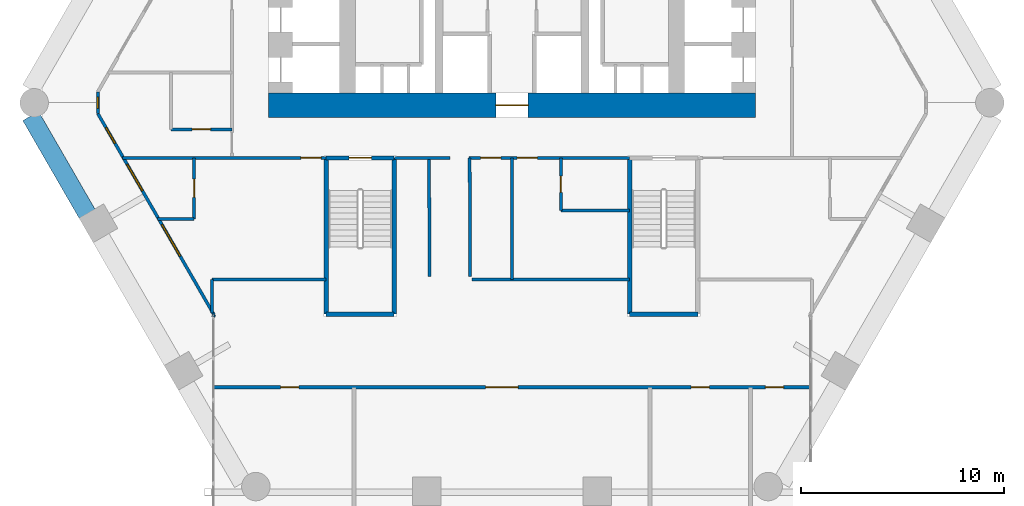
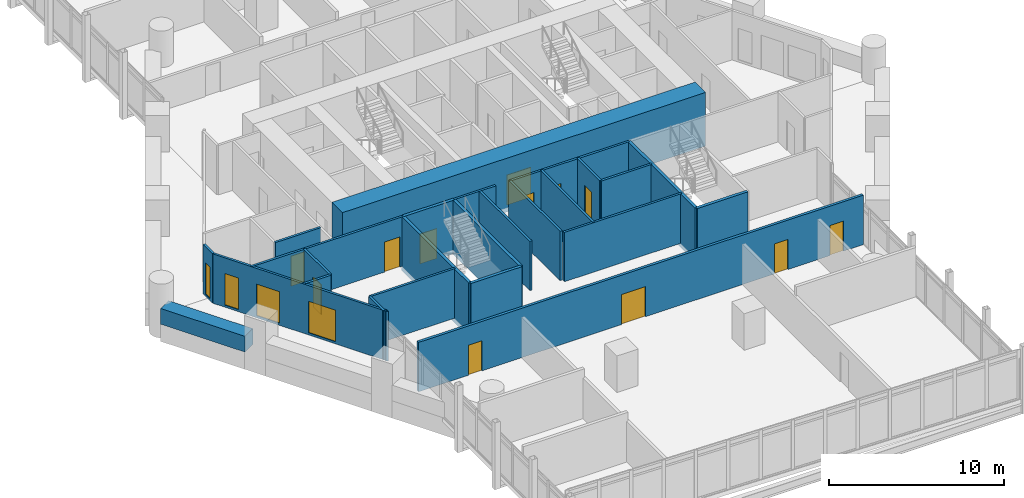
# One storey, part 23 of 28: 26 walls, 12 doors, 4 windows, 16 openings.
"""IFC4 building model written with IfcOpenShell, lengths in metres."""

import ifcopenshell
import ifcopenshell.guid

model = None  # the IFC model being written
_history = None  # IfcOwnerHistory: only IFC2X3 demands one
_inside = {}  # id of a spatial element -> (the spatial element, [elements in it])
_under = {}  # id of a project, library or spatial element -> (it, [spatial elements below it])
_declared = {}  # id of a project -> (the project, [libraries it declares])
_typed = {}  # id of a type object -> (the type object, [elements of that type])
_made_of = {}  # id of a material, layer set ... -> (it, [elements and type objects made of it])


def new_model(schema):
    """Start an empty IFC model of exactly this schema.

    Asked for "IFC4X3", IfcOpenShell would pick the latest addendum, in which some entities
    have other attributes; the version numbers below select the first issue.
    IFC2X3 requires an IfcOwnerHistory on every rooted entity: one is made here for all.
    """
    global model, _history
    if schema == "IFC4X3":
        model = ifcopenshell.file(schema_version=(4, 3, 0, 0))
    else:
        model = ifcopenshell.file(schema=schema)
    _inside.clear()
    _under.clear()
    _declared.clear()
    _typed.clear()
    _made_of.clear()
    _history = None
    if model.schema == "IFC2X3":
        org = make("IfcOrganization", Name="unknown")
        user = make(
            "IfcPersonAndOrganization",
            ThePerson=make("IfcPerson", FamilyName="unknown"),
            TheOrganization=org,
        )
        app = make(
            "IfcApplication",
            ApplicationDeveloper=org,
            Version="unknown",
            ApplicationFullName="unknown",
            ApplicationIdentifier="unknown",
        )
        _history = make(
            "IfcOwnerHistory",
            OwningUser=user,
            OwningApplication=app,
            ChangeAction="ADDED",
            CreationDate=0,
        )
    return model


def make(cls, **values):
    """One entity of the class cls with the attributes given. An attribute that is None is left unset."""
    return model.create_entity(
        cls, **{name: value for name, value in values.items() if value is not None}
    )


def rooted(cls, **values):
    """An entity with a GlobalId (a new one), such as an element, a storey or a relation."""
    return make(cls, GlobalId=ifcopenshell.guid.new(), OwnerHistory=_history, **values)


def si_unit(unit_type, name, prefix=None):
    """IfcSIUnit, for example si_unit("LENGTHUNIT", "METRE", prefix="MILLI")."""
    return make("IfcSIUnit", UnitType=unit_type, Prefix=prefix, Name=name)


def assignment(units):
    """IfcUnitAssignment: the units of a project."""
    return None if units is None else make("IfcUnitAssignment", Units=units)


def point(xyz):
    """IfcCartesianPoint."""
    return None if xyz is None else make("IfcCartesianPoint", Coordinates=xyz)


def direction(xyz):
    """IfcDirection."""
    return None if xyz is None else make("IfcDirection", DirectionRatios=xyz)


def frame(location, z_axis=None, x_axis=None):
    """IfcAxis2Placement3D, a coordinate frame: its origin and axes. An axis left out is left unset."""
    return make(
        "IfcAxis2Placement3D",
        Location=point(location),
        Axis=direction(z_axis),
        RefDirection=direction(x_axis),
    )


def frame_2d(location, x_axis=None):
    """IfcAxis2Placement2D, a coordinate frame in the plane: its origin and x axis."""
    return make(
        "IfcAxis2Placement2D", Location=point(location), RefDirection=direction(x_axis)
    )


def origin():
    """The frame at (0, 0, 0) with its axes left unset."""
    return frame((0.0, 0.0, 0.0))


def place(relative_to, where):
    """IfcLocalPlacement: puts the frame where relative to a parent placement (None: the world)."""
    return make(
        "IfcLocalPlacement", PlacementRelTo=relative_to, RelativePlacement=where
    )


def context(
    kind, dimensions, precision=None, world=None, true_north=None, identifier=None
):
    """IfcGeometricRepresentationContext, for example the 3D "Model" context."""
    return make(
        "IfcGeometricRepresentationContext",
        ContextIdentifier=identifier,
        ContextType=kind,
        CoordinateSpaceDimension=dimensions,
        Precision=precision,
        WorldCoordinateSystem=world,
        TrueNorth=true_north,
    )


def subcontext(parent, identifier, kind, view, scale=None):
    """IfcGeometricRepresentationSubContext, for example "Body" below "Model"."""
    return make(
        "IfcGeometricRepresentationSubContext",
        ContextIdentifier=identifier,
        ContextType=kind,
        ParentContext=parent,
        TargetScale=scale,
        TargetView=view,
    )


def project(units=None, contexts=None):
    """IfcProject with its units and contexts."""
    return rooted(
        "IfcProject",
        Name="project",
        RepresentationContexts=contexts,
        UnitsInContext=assignment(units),
    )


def spatial(cls, under=None, at=None, **own):
    """A site, building, storey or space (cls), placed at a placement, below another one or the project."""
    s = rooted(cls, ObjectPlacement=at, **own)
    if under is not None:
        _under.setdefault(under.id(), (under, []))[1].append(s)
    return s


def profile(cls, at=None, kind="AREA", **sizes):
    """A parametric profile (cls). Its sizes go by their IFC names, for example OverallWidth=200.0."""
    return make(cls, ProfileType=kind, Position=at, **sizes)


def rectangle(**sizes):
    """IfcRectangleProfileDef."""
    return profile("IfcRectangleProfileDef", **sizes)


def extrude(swept, where, along, depth):
    """IfcExtrudedAreaSolid: the profile swept, set in the frame where, extruded along a direction by depth."""
    return make(
        "IfcExtrudedAreaSolid",
        SweptArea=swept,
        Position=where,
        ExtrudedDirection=direction(along),
        Depth=depth,
    )


def shape(context_of_items, identifier, shape_type, items):
    """IfcShapeRepresentation: the items that make up one representation, for example the "Body"."""
    return make(
        "IfcShapeRepresentation",
        ContextOfItems=context_of_items,
        RepresentationIdentifier=identifier,
        RepresentationType=shape_type,
        Items=items,
    )


def material(Name=None, Category=None):
    """IfcMaterial."""
    return make("IfcMaterial", Name=Name, Category=Category)


def layer(
    of_material, thickness, ventilated=None, Name=None, Category=None, Priority=None
):
    """IfcMaterialLayer: one layer of a wall or slab, of a material (None: an air gap)."""
    return make(
        "IfcMaterialLayer",
        Material=of_material,
        LayerThickness=thickness,
        IsVentilated=ventilated,
        Name=Name,
        Category=Category,
        Priority=Priority,
    )


def layer_set(layers, Name=None):
    """IfcMaterialLayerSet."""
    return make("IfcMaterialLayerSet", MaterialLayers=layers, LayerSetName=Name)


def made_of(thing, what):
    """Note that an element or type object is made of a material, layer set ...; save() writes the relation."""
    if what is not None:
        _made_of.setdefault(what.id(), (what, []))[1].append(thing)
    return thing


def type_object(cls, material=None, **own):
    """A type object (cls), such as IfcWallType, which elements share."""
    return made_of(rooted(cls, **own), material)


def element(
    cls,
    number,
    at=None,
    inside=None,
    cuts=None,
    type_object=None,
    material=None,
    context=None,
    identifier="Body",
    shape_type=None,
    held_by="IfcProductDefinitionShape",
    body=None,
    shapes=None,
    **own,
):
    """One element of the class cls, such as IfcWall. Its Tag is "e" and its number.

    at: its placement. inside: the storey or other place that contains it. cuts: it is an
    opening in that element (IfcRelVoidsElement). A single representation is given by context,
    identifier, shape_type and body (its items); several are given by shapes. held_by: the class
    of the entity that holds the representations. save() writes the other relations.
    """
    e = rooted(cls, Tag="e%d" % number, ObjectPlacement=at, **own)
    if body is not None:
        shapes = [shape(context, identifier, shape_type, body)]
    if shapes is not None:
        e.Representation = make(held_by, Representations=shapes)
    if inside is not None:
        _inside.setdefault(inside.id(), (inside, []))[1].append(e)
    if cuts is not None:
        rooted(
            "IfcRelVoidsElement", RelatingBuildingElement=cuts, RelatedOpeningElement=e
        )
    if type_object is not None:
        _typed.setdefault(type_object.id(), (type_object, []))[1].append(e)
    return made_of(e, material)


def fill(opening, filler):
    """IfcRelFillsElement: the door or window that sits in an opening."""
    return rooted(
        "IfcRelFillsElement",
        RelatingOpeningElement=opening,
        RelatedBuildingElement=filler,
    )


def aggregate(whole, parts):
    """IfcRelAggregates: a whole, such as a stair, and the parts it consists of."""
    return rooted("IfcRelAggregates", RelatingObject=whole, RelatedObjects=parts)


def save(model, path):
    """Write the relations noted so far, then the file.

    IfcRelAggregates (storeys below a building ...), IfcRelContainedInSpatialStructure (elements
    in a storey), IfcRelDefinesByType, IfcRelAssociatesMaterial and IfcRelDeclares: one each for
    every whole, place, type object, material and project.
    """
    for whole, parts in _under.values():
        aggregate(whole, parts)
    for where, things in _inside.values():
        rooted(
            "IfcRelContainedInSpatialStructure",
            RelatedElements=things,
            RelatingStructure=where,
        )
    for kind, things in _typed.values():
        rooted("IfcRelDefinesByType", RelatedObjects=things, RelatingType=kind)
    for what, things in _made_of.values():
        rooted("IfcRelAssociatesMaterial", RelatedObjects=things, RelatingMaterial=what)
    for by, libraries in _declared.values():
        rooted("IfcRelDeclares", RelatingContext=by, RelatedDefinitions=libraries)
    model.write(path)


model = new_model("IFC4")

# Units and contexts
model_context = context("Model", 3, precision=1e-05, world=origin(), true_north=direction((0.0, 1.0)))
body_context = subcontext(model_context, "Body", "Model", "MODEL_VIEW")
ifc_project = project(units=[si_unit("LENGTHUNIT", "METRE"), si_unit("AREAUNIT", "SQUARE_METRE"), si_unit("VOLUMEUNIT", "CUBIC_METRE"), si_unit("PLANEANGLEUNIT", "RADIAN"), si_unit("MASSUNIT", "GRAM", prefix="KILO")], contexts=[model_context])

# Site, building, storey
site_placement = place(None, origin())
site = spatial("IfcSite", under=ifc_project, at=site_placement, CompositionType="ELEMENT")
building_placement = place(site_placement, origin())
building = spatial("IfcBuilding", under=site, at=building_placement, Name="Ostrander Bayou Hotel Tower", CompositionType="ELEMENT")
storey_placement = place(building_placement, frame((0.0, 0.0, 76.75)))
storey = spatial("IfcBuildingStorey", under=building, at=storey_placement, Name="L19", CompositionType="ELEMENT", Elevation=76.75)

# Wall, opening, door
ifc_material_1 = material(Name="Concrete f'c 70 MPa", Category="concrete")
ifc_layer_1 = layer(ifc_material_1, 1.199951171875)
ifc_layer_set_1 = layer_set([ifc_layer_1], Name="CW1 core wall 1200 mm f'c 70 MPa")
wall_type_1 = type_object("IfcWallType", Name="CW1 core wall 1200 mm f'c 70 MPa", PredefinedType="SHEAR", material=ifc_layer_set_1)
wall_1_placement = place(storey_placement, frame((-12.0, -1.10009765625, -0.300048828125), z_axis=(0.0, 0.0, 1.0), x_axis=(1.0, 0.0, 0.0)))
wall_1 = element("IfcWall", 1, at=wall_1_placement, inside=storey, type_object=wall_type_1, Name="CW1 L19 S", PredefinedType="SHEAR", context=body_context, shape_type="SweptSolid", body=[
    extrude(rectangle(XDim=24.0, YDim=1.199951171875, at=frame_2d((12.0, 0.0))), origin(), (0.0, 0.0, 1.0), 3.75),
])
opening_1_placement = place(wall_1_placement, frame((11.199951171875, 0.0, 0.0)))
opening_1 = element("IfcOpeningElement", 2, at=opening_1_placement, cuts=wall_1, Name="Opening T18-001", PredefinedType="OPENING", context=body_context, shape_type="SweptSolid", body=[
    extrude(rectangle(XDim=1.60009765625, YDim=2.10009765625, at=frame_2d((0.800048828125, 1.050048828125))), frame((0.0, 0.60009765625, 0.0), z_axis=(0.0, -1.0, 0.0), x_axis=(1.0, 0.0, 0.0)), (0.0, 0.0, 1.0), 1.199951171875),
])
ifc_material_2 = material(Name="Timber door leaf", Category="wood")
door_type_1 = type_object("IfcDoorType", Name="D13 double door 1600 x 2100 mm, 1 hour", OperationType="SINGLE_SWING_LEFT", PredefinedType="DOOR", material=ifc_material_2)
door_1_placement = place(opening_1_placement, origin())
door_1 = element("IfcDoor", 3, at=door_1_placement, inside=storey, type_object=door_type_1, Name="dr:L19:001", OperationType="DOUBLE_DOOR_SINGLE_SWING", OverallHeight=2.10009765625, OverallWidth=1.60009765625, PredefinedType="DOOR", context=body_context, shape_type="SweptSolid", body=[
    extrude(rectangle(XDim=1.60009765625, YDim=2.10009765625, at=frame_2d((0.800048828125, 1.050048828125))), frame((0.0, 0.02490234375, 0.0), z_axis=(0.0, -1.0, 0.0), x_axis=(1.0, 0.0, 0.0)), (0.0, 0.0, 1.0), 0.050048828125),
])
fill(opening_1, door_1)

# Wall, openings, windows
ifc_material_3 = material(Name="Aluminium framed insulated wall", Category="aluminium")
ifc_layer_2 = layer(ifc_material_3, 0.14990234375)
ifc_layer_set_2 = layer_set([ifc_layer_2], Name="GW1 glass-line wall 150 mm")
wall_type_2 = type_object("IfcWallType", Name="GW1 glass-line wall 150 mm", PredefinedType="SOLIDWALL", material=ifc_layer_set_2)
wall_2_placement = place(storey_placement, frame((-20.40087890625, -1.514404296875, 0.0), z_axis=(0.0, 0.0, 1.0), x_axis=(0.499991453095, -0.866030338286, 0.0)))
wall_2 = element("IfcWall", 4, at=wall_2_placement, inside=storey, type_object=wall_type_2, Name="GW1 L19 SW 1", PredefinedType="SOLIDWALL", context=body_context, shape_type="SweptSolid", body=[
    extrude(rectangle(XDim=11.444091796875, YDim=0.14990234375, at=frame_2d((5.72216796875, 0.0))), origin(), (0.0, 0.0, 1.0), 3.449951171875),
])
opening_2_placement = place(wall_2_placement, frame((0.7890625, 0.0, 0.14990234375)))
opening_2 = element("IfcOpeningElement", 5, at=opening_2_placement, cuts=wall_2, Name="Opening W15", PredefinedType="OPENING", context=body_context, shape_type="SweptSolid", body=[
    extrude(rectangle(XDim=0.89990234375, YDim=2.199951171875, at=frame_2d((0.449951171875, 1.10009765625))), frame((0.0, 0.074951171875, 0.0), z_axis=(0.0, -1.0, 0.0), x_axis=(1.0, 0.0, 0.0)), (0.0, 0.0, 1.0), 0.14990234375),
])
opening_3_placement = place(wall_2_placement, frame((2.888916015625, 0.0, 0.14990234375)))
opening_3 = element("IfcOpeningElement", 6, at=opening_3_placement, cuts=wall_2, Name="Opening W11", PredefinedType="OPENING", context=body_context, shape_type="SweptSolid", body=[
    extrude(rectangle(XDim=1.5, YDim=2.199951171875, at=frame_2d((0.75, 1.10009765625))), frame((0.0, 0.074951171875, 0.0), z_axis=(0.0, -1.0, 0.0), x_axis=(1.0, 0.0, 0.0)), (0.0, 0.0, 1.0), 0.14990234375),
])
opening_4_placement = place(wall_2_placement, frame((6.31201171875, 0.0, 0.14990234375)))
opening_4 = element("IfcOpeningElement", 7, at=opening_4_placement, cuts=wall_2, Name="Opening W7", PredefinedType="OPENING", context=body_context, shape_type="SweptSolid", body=[
    extrude(rectangle(XDim=1.800048828125, YDim=2.199951171875, at=frame_2d((0.89990234375, 1.10009765625))), frame((0.0, 0.074951171875, 0.0), z_axis=(0.0, -1.0, 0.0), x_axis=(1.0, 0.0, 0.0)), (0.0, 0.0, 1.0), 0.14990234375),
])
ifc_material_4 = material(Name="Aluminium and clear glass", Category="aluminium")
window_type_1 = type_object("IfcWindowType", Name="W11 fixed window 1500 mm, bath bay, zone 1", PartitioningType="SINGLE_PANEL", PredefinedType="WINDOW", material=ifc_material_4)
window_1_placement = place(opening_3_placement, origin())
window_1 = element("IfcWindow", 8, at=window_1_placement, inside=storey, type_object=window_type_1, Name="W11 L19 SW 1", OverallHeight=2.199951171875, OverallWidth=1.5, PartitioningType="SINGLE_PANEL", PredefinedType="WINDOW", context=body_context, shape_type="SweptSolid", body=[
    extrude(rectangle(XDim=1.5, YDim=2.199951171875, at=frame_2d((0.75, 1.10009765625))), frame((0.0, 0.030029296875, 0.0), z_axis=(0.0, -1.0, 0.0), x_axis=(1.0, 0.0, 0.0)), (0.0, 0.0, 1.0), 0.06005859375),
])
fill(opening_3, window_1)
ifc_material_5 = material(Name="Aluminium and clear glass", Category="aluminium")
window_type_2 = type_object("IfcWindowType", Name="W15 window 900 mm, zone 1", PartitioningType="SINGLE_PANEL", PredefinedType="WINDOW", material=ifc_material_5)
window_2_placement = place(opening_2_placement, origin())
window_2 = element("IfcWindow", 9, at=window_2_placement, inside=storey, type_object=window_type_2, Name="W15 L19 SW 1", OverallHeight=2.199951171875, OverallWidth=0.89990234375, PartitioningType="SINGLE_PANEL", PredefinedType="WINDOW", context=body_context, shape_type="SweptSolid", body=[
    extrude(rectangle(XDim=0.89990234375, YDim=2.199951171875, at=frame_2d((0.449951171875, 1.10009765625))), frame((0.0, 0.030029296875, 0.0), z_axis=(0.0, -1.0, 0.0), x_axis=(1.0, 0.0, 0.0)), (0.0, 0.0, 1.0), 0.06005859375),
])
fill(opening_2, window_2)
ifc_material_6 = material(Name="Aluminium and clear glass", Category="aluminium")
window_type_3 = type_object("IfcWindowType", Name="W7 fixed window 1800 mm, bar storeys, zone 1", PartitioningType="SINGLE_PANEL", PredefinedType="WINDOW", material=ifc_material_6)
window_3_placement = place(opening_4_placement, origin())
window_3 = element("IfcWindow", 10, at=window_3_placement, inside=storey, type_object=window_type_3, Name="W7 L19 SW 2", OverallHeight=2.199951171875, OverallWidth=1.800048828125, PartitioningType="SINGLE_PANEL", PredefinedType="WINDOW", context=body_context, shape_type="SweptSolid", body=[
    extrude(rectangle(XDim=1.800048828125, YDim=2.199951171875, at=frame_2d((0.89990234375, 1.10009765625))), frame((0.0, 0.030029296875, 0.0), z_axis=(0.0, -1.0, 0.0), x_axis=(1.0, 0.0, 0.0)), (0.0, 0.0, 1.0), 0.06005859375),
])
fill(opening_4, window_3)

# Wall, opening, window
wall_3_placement = place(storey_placement, frame((-20.40087890625, -0.449462890625, 0.0), z_axis=(0.0, 0.0, 1.0), x_axis=(0.0, -1.0, 0.0)))
wall_3 = element("IfcWall", 11, at=wall_3_placement, inside=storey, type_object=wall_type_2, Name="GW1 L19 corner 2", PredefinedType="SOLIDWALL", context=body_context, shape_type="SweptSolid", body=[
    extrude(rectangle(XDim=1.06494140625, YDim=0.14990234375, at=frame_2d((0.532470703125, 0.0))), origin(), (0.0, 0.0, 1.0), 3.449951171875),
])
opening_5_placement = place(wall_3_placement, frame((0.257568359375, 0.0, 0.14990234375)))
opening_5 = element("IfcOpeningElement", 12, at=opening_5_placement, cuts=wall_3, Name="Opening W19", PredefinedType="OPENING", context=body_context, shape_type="SweptSolid", body=[
    extrude(rectangle(XDim=0.550048828125, YDim=2.199951171875, at=frame_2d((0.27490234375, 1.10009765625))), frame((0.0, 0.074951171875, 0.0), z_axis=(0.0, -1.0, 0.0), x_axis=(1.0, 0.0, 0.0)), (0.0, 0.0, 1.0), 0.14990234375),
])
ifc_material_7 = material(Name="Aluminium and clear glass", Category="aluminium")
window_type_4 = type_object("IfcWindowType", Name="W19 corner window 550 mm", PartitioningType="SINGLE_PANEL", PredefinedType="WINDOW", material=ifc_material_7)
window_4_placement = place(opening_5_placement, origin())
window_4 = element("IfcWindow", 13, at=window_4_placement, inside=storey, type_object=window_type_4, Name="W19 L19 corner 2", OverallHeight=2.199951171875, OverallWidth=0.550048828125, PartitioningType="SINGLE_PANEL", PredefinedType="WINDOW", context=body_context, shape_type="SweptSolid", body=[
    extrude(rectangle(XDim=0.550048828125, YDim=2.199951171875, at=frame_2d((0.27490234375, 1.10009765625))), frame((0.0, 0.030029296875, 0.0), z_axis=(0.0, -1.0, 0.0), x_axis=(1.0, 0.0, 0.0)), (0.0, 0.0, 1.0), 0.06005859375),
])
fill(opening_5, window_4)

# Walls
wall_4_placement = place(storey_placement, frame((-14.678955078125, -11.42529296875, 0.0), z_axis=(0.0, 0.0, 1.0), x_axis=(-0.338543167143, -0.940950861619, 0.0)))
element("IfcWall", 14, at=wall_4_placement, inside=storey, type_object=wall_type_2, Name="GW1 L19 bar joint 1", PredefinedType="SOLIDWALL", context=body_context, shape_type="SweptSolid", body=[
    extrude(rectangle(XDim=0.09814453125, YDim=0.14990234375, at=frame_2d((0.049072265625, 0.0))), origin(), (0.0, 0.0, 1.0), 3.449951171875),
])
ifc_material_8 = material(Name="Limestone masonry", Category="masonry")
ifc_layer_3 = layer(ifc_material_8, 0.89990234375)
ifc_layer_set_3 = layer_set([ifc_layer_3], Name="PA2 limestone parapet 900 mm")
wall_type_3 = type_object("IfcWallType", Name="PA2 limestone parapet 900 mm", PredefinedType="PARAPET", material=ifc_layer_set_3)
wall_5_placement = place(storey_placement, frame((-23.707275390625, -1.637939453125, 0.0), z_axis=(0.0, 0.0, 1.0), x_axis=(0.500009557824, -0.866019885502, 0.0)))
element("IfcWall", 15, at=wall_5_placement, inside=storey, type_object=wall_type_3, Name="PA2 L19 SW-1", PredefinedType="PARAPET", context=body_context, shape_type="SweptSolid", body=[
    extrude(rectangle(XDim=5.56982421875, YDim=0.89990234375, at=frame_2d((2.784912109375, 0.0))), origin(), (0.0, 0.0, 1.0), 1.10009765625),
])

# Wall, openings, doors
ifc_material_9 = material(Name="Gypsum board partition", Category="finish")
ifc_layer_4 = layer(ifc_material_9, 0.175048828125)
ifc_layer_set_4 = layer_set([ifc_layer_4], Name="PT4 corridor wall 175 mm, 1 hour")
wall_type_4 = type_object("IfcWallType", Name="PT4 corridor wall 175 mm, 1 hour", PredefinedType="PARTITIONING", material=ifc_layer_set_4)
wall_6_placement = place(storey_placement, frame((-14.693115234375, -15.0, 0.0), z_axis=(0.0, 0.0, 1.0), x_axis=(1.0, 0.0, 0.0)))
wall_6 = element("IfcWall", 16, at=wall_6_placement, inside=storey, type_object=wall_type_4, Name="sw:L19:500", PredefinedType="PARTITIONING", context=body_context, shape_type="SweptSolid", body=[
    extrude(rectangle(XDim=29.38623046875, YDim=0.175048828125, at=frame_2d((14.693115234375, 0.0))), origin(), (0.0, 0.0, 1.0), 3.449951171875),
])
opening_6_placement = place(wall_6_placement, frame((3.29833984375, 0.0, 0.0)))
opening_6 = element("IfcOpeningElement", 17, at=opening_6_placement, cuts=wall_6, Name="Opening T18-1200", PredefinedType="OPENING", context=body_context, shape_type="SweptSolid", body=[
    extrude(rectangle(XDim=0.89990234375, YDim=2.10009765625, at=frame_2d((0.449951171875, 1.050048828125))), frame((0.0, 0.08740234375, 0.0), z_axis=(0.0, -1.0, 0.0), x_axis=(1.0, 0.0, 0.0)), (0.0, 0.0, 1.0), 0.175048828125),
])
opening_7_placement = place(wall_6_placement, frame((23.510498046875, 0.0, 0.0)))
opening_7 = element("IfcOpeningElement", 18, at=opening_7_placement, cuts=wall_6, Name="Opening T18-1204", PredefinedType="OPENING", context=body_context, shape_type="SweptSolid", body=[
    extrude(rectangle(XDim=0.89990234375, YDim=2.10009765625, at=frame_2d((0.449951171875, 1.050048828125))), frame((0.0, 0.08740234375, 0.0), z_axis=(0.0, -1.0, 0.0), x_axis=(1.0, 0.0, 0.0)), (0.0, 0.0, 1.0), 0.175048828125),
])
opening_8_placement = place(wall_6_placement, frame((27.16796875, 0.0, 0.0)))
opening_8 = element("IfcOpeningElement", 19, at=opening_8_placement, cuts=wall_6, Name="Opening T18-1205", PredefinedType="OPENING", context=body_context, shape_type="SweptSolid", body=[
    extrude(rectangle(XDim=0.89990234375, YDim=2.10009765625, at=frame_2d((0.449951171875, 1.050048828125))), frame((0.0, 0.08740234375, 0.0), z_axis=(0.0, -1.0, 0.0), x_axis=(1.0, 0.0, 0.0)), (0.0, 0.0, 1.0), 0.175048828125),
])
opening_9_placement = place(wall_6_placement, frame((13.393310546875, 0.0, 0.0)))
opening_9 = element("IfcOpeningElement", 20, at=opening_9_placement, cuts=wall_6, Name="Opening T18-1206", PredefinedType="OPENING", context=body_context, shape_type="SweptSolid", body=[
    extrude(rectangle(XDim=1.60009765625, YDim=2.10009765625, at=frame_2d((0.800048828125, 1.050048828125))), frame((0.0, 0.08740234375, 0.0), z_axis=(0.0, -1.0, 0.0), x_axis=(1.0, 0.0, 0.0)), (0.0, 0.0, 1.0), 0.175048828125),
])
door_2_placement = place(opening_9_placement, origin())
door_2 = element("IfcDoor", 21, at=door_2_placement, inside=storey, type_object=door_type_1, Name="dr:L19:1206", OperationType="DOUBLE_DOOR_SINGLE_SWING", OverallHeight=2.10009765625, OverallWidth=1.60009765625, PredefinedType="DOOR", context=body_context, shape_type="SweptSolid", body=[
    extrude(rectangle(XDim=1.60009765625, YDim=2.10009765625, at=frame_2d((0.800048828125, 1.050048828125))), frame((0.0, 0.02490234375, 0.0), z_axis=(0.0, -1.0, 0.0), x_axis=(1.0, 0.0, 0.0)), (0.0, 0.0, 1.0), 0.050048828125),
])
fill(opening_9, door_2)
ifc_material_10 = material(Name="Timber door leaf", Category="wood")
door_type_2 = type_object("IfcDoorType", Name="D8 room door 900 x 2100 mm", OperationType="SINGLE_SWING_LEFT", PredefinedType="DOOR", material=ifc_material_10)
door_3_placement = place(opening_6_placement, origin())
door_3 = element("IfcDoor", 22, at=door_3_placement, inside=storey, type_object=door_type_2, Name="dr:L19:1200", OperationType="SINGLE_SWING_RIGHT", OverallHeight=2.10009765625, OverallWidth=0.89990234375, PredefinedType="DOOR", context=body_context, shape_type="SweptSolid", body=[
    extrude(rectangle(XDim=0.89990234375, YDim=2.10009765625, at=frame_2d((0.449951171875, 1.050048828125))), frame((0.0, 0.02490234375, 0.0), z_axis=(0.0, -1.0, 0.0), x_axis=(1.0, 0.0, 0.0)), (0.0, 0.0, 1.0), 0.050048828125),
])
fill(opening_6, door_3)
door_4_placement = place(opening_7_placement, origin())
door_4 = element("IfcDoor", 23, at=door_4_placement, inside=storey, type_object=door_type_2, Name="dr:L19:1204", OperationType="SINGLE_SWING_RIGHT", OverallHeight=2.10009765625, OverallWidth=0.89990234375, PredefinedType="DOOR", context=body_context, shape_type="SweptSolid", body=[
    extrude(rectangle(XDim=0.89990234375, YDim=2.10009765625, at=frame_2d((0.449951171875, 1.050048828125))), frame((0.0, 0.02490234375, 0.0), z_axis=(0.0, -1.0, 0.0), x_axis=(1.0, 0.0, 0.0)), (0.0, 0.0, 1.0), 0.050048828125),
])
fill(opening_7, door_4)
door_5_placement = place(opening_8_placement, origin())
door_5 = element("IfcDoor", 24, at=door_5_placement, inside=storey, type_object=door_type_2, Name="dr:L19:1205", OperationType="SINGLE_SWING_LEFT", OverallHeight=2.10009765625, OverallWidth=0.89990234375, PredefinedType="DOOR", context=body_context, shape_type="SweptSolid", body=[
    extrude(rectangle(XDim=0.89990234375, YDim=2.10009765625, at=frame_2d((0.449951171875, 1.050048828125))), frame((0.0, 0.02490234375, 0.0), z_axis=(0.0, -1.0, 0.0), x_axis=(1.0, 0.0, 0.0)), (0.0, 0.0, 1.0), 0.050048828125),
])
fill(opening_8, door_5)

# Walls
ifc_material_11 = material(Name="Gypsum board partition", Category="finish")
ifc_layer_5 = layer(ifc_material_11, 0.14990234375)
ifc_layer_set_5 = layer_set([ifc_layer_5], Name="PT8 service band wall 150 mm, 1 hour")
wall_type_5 = type_object("IfcWallType", Name="PT8 service band wall 150 mm, 1 hour", PredefinedType="PARTITIONING", material=ifc_layer_set_5)
wall_7_placement = place(storey_placement, frame((-14.784912109375, -9.679931640625, 0.0), z_axis=(0.0, 0.0, 1.0), x_axis=(1.0, 0.0, 0.0)))
element("IfcWall", 25, at=wall_7_placement, inside=storey, type_object=wall_type_5, Name="gw:L19:001", PredefinedType="PARTITIONING", context=body_context, shape_type="SweptSolid", body=[
    extrude(rectangle(XDim=5.625, YDim=0.14990234375, at=frame_2d((2.8125, 0.0))), origin(), (0.0, 0.0, 1.0), 3.449951171875),
])
wall_8_placement = place(storey_placement, frame((-1.97998046875, -9.679931640625, 0.0), z_axis=(0.0, 0.0, 1.0), x_axis=(1.0, 0.0, 0.0)))
element("IfcWall", 26, at=wall_8_placement, inside=storey, type_object=wall_type_5, Name="gw:L19:002", PredefinedType="PARTITIONING", context=body_context, shape_type="SweptSolid", body=[
    extrude(rectangle(XDim=7.77001953125, YDim=0.14990234375, at=frame_2d((3.885009765625, 0.0))), origin(), (0.0, 0.0, 1.0), 3.449951171875),
])
wall_9_placement = place(storey_placement, frame((-17.458984375, -6.699951171875, 0.0), z_axis=(0.0, 0.0, 1.0), x_axis=(1.0, 0.0, 0.0)))
element("IfcWall", 27, at=wall_9_placement, inside=storey, type_object=wall_type_5, Name="gw:L19:004", PredefinedType="PARTITIONING", context=body_context, shape_type="SweptSolid", body=[
    extrude(rectangle(XDim=1.799072265625, YDim=0.14990234375, at=frame_2d((0.8994140625, 0.0))), origin(), (0.0, 0.0, 1.0), 3.449951171875),
])
wall_10_placement = place(storey_placement, frame((2.409912109375, -6.300048828125, 0.0), z_axis=(0.0, 0.0, 1.0), x_axis=(1.0, 0.0, 0.0)))
element("IfcWall", 28, at=wall_10_placement, inside=storey, type_object=wall_type_5, Name="gw:L19:006", PredefinedType="PARTITIONING", context=body_context, shape_type="SweptSolid", body=[
    extrude(rectangle(XDim=3.380126953125, YDim=0.14990234375, at=frame_2d((1.68994140625, 0.0))), origin(), (0.0, 0.0, 1.0), 3.449951171875),
])

# Wall, opening, door
wall_11_placement = place(storey_placement, frame((-19.19091796875, -3.699951171875, 0.0), z_axis=(0.0, 0.0, 1.0), x_axis=(1.0, 0.0, 0.0)))
wall_11 = element("IfcWall", 29, at=wall_11_placement, inside=storey, type_object=wall_type_5, Name="gw:L19:007", PredefinedType="PARTITIONING", context=body_context, shape_type="SweptSolid", body=[
    extrude(rectangle(XDim=10.031005859375, YDim=0.14990234375, at=frame_2d((5.015625, 0.0))), origin(), (0.0, 0.0, 1.0), 3.449951171875),
])
opening_10_placement = place(wall_11_placement, frame((8.791015625, 0.0, 0.0)))
opening_10 = element("IfcOpeningElement", 30, at=opening_10_placement, cuts=wall_11, Name="Opening T18-401", PredefinedType="OPENING", context=body_context, shape_type="SweptSolid", body=[
    extrude(rectangle(XDim=1.0, YDim=2.10009765625, at=frame_2d((0.5, 1.050048828125))), frame((0.0, 0.074951171875, 0.0), z_axis=(0.0, -1.0, 0.0), x_axis=(1.0, 0.0, 0.0)), (0.0, 0.0, 1.0), 0.14990234375),
])
ifc_material_12 = material(Name="Timber door leaf", Category="wood")
door_type_3 = type_object("IfcDoorType", Name="D1 guest room door 1000 x 2100 mm, 30 minute", OperationType="SINGLE_SWING_LEFT", PredefinedType="DOOR", material=ifc_material_12)
door_6_placement = place(opening_10_placement, origin())
door_6 = element("IfcDoor", 31, at=door_6_placement, inside=storey, type_object=door_type_3, Name="dr:L19:401", OperationType="SINGLE_SWING_RIGHT", OverallHeight=2.10009765625, OverallWidth=1.0, PredefinedType="DOOR", context=body_context, shape_type="SweptSolid", body=[
    extrude(rectangle(XDim=1.0, YDim=2.10009765625, at=frame_2d((0.5, 1.050048828125))), frame((0.0, 0.02490234375, 0.0), z_axis=(0.0, -1.0, 0.0), x_axis=(1.0, 0.0, 0.0)), (0.0, 0.0, 1.0), 0.050048828125),
])
fill(opening_10, door_6)

# Wall
wall_12_placement = place(storey_placement, frame((-5.7900390625, -3.699951171875, 0.0), z_axis=(0.0, 0.0, 1.0), x_axis=(1.0, 0.0, 0.0)))
element("IfcWall", 32, at=wall_12_placement, inside=storey, type_object=wall_type_5, Name="gw:L19:008", PredefinedType="PARTITIONING", context=body_context, shape_type="SweptSolid", body=[
    extrude(rectangle(XDim=2.7451171875, YDim=0.14990234375, at=frame_2d((1.37255859375, 0.0))), origin(), (0.0, 0.0, 1.0), 3.449951171875),
])

# Wall, openings, doors
wall_13_placement = place(storey_placement, frame((-2.125, -3.699951171875, 0.0), z_axis=(0.0, 0.0, 1.0), x_axis=(1.0, 0.0, 0.0)))
wall_13 = element("IfcWall", 33, at=wall_13_placement, inside=storey, type_object=wall_type_5, Name="gw:L19:009", PredefinedType="PARTITIONING", context=body_context, shape_type="SweptSolid", body=[
    extrude(rectangle(XDim=7.9150390625, YDim=0.14990234375, at=frame_2d((3.95751953125, 0.0))), origin(), (0.0, 0.0, 1.0), 3.449951171875),
])
opening_11_placement = place(wall_13_placement, frame((0.5830078125, 0.0, 0.0)))
opening_11 = element("IfcOpeningElement", 34, at=opening_11_placement, cuts=wall_13, Name="Opening T18-400", PredefinedType="OPENING", context=body_context, shape_type="SweptSolid", body=[
    extrude(rectangle(XDim=1.0, YDim=2.10009765625, at=frame_2d((0.5, 1.050048828125))), frame((0.0, 0.074951171875, 0.0), z_axis=(0.0, -1.0, 0.0), x_axis=(1.0, 0.0, 0.0)), (0.0, 0.0, 1.0), 0.14990234375),
])
opening_12_placement = place(wall_13_placement, frame((2.375, 0.0, 0.0)))
opening_12 = element("IfcOpeningElement", 35, at=opening_12_placement, cuts=wall_13, Name="Opening T18-403", PredefinedType="OPENING", context=body_context, shape_type="SweptSolid", body=[
    extrude(rectangle(XDim=1.0, YDim=2.10009765625, at=frame_2d((0.5, 1.050048828125))), frame((0.0, 0.074951171875, 0.0), z_axis=(0.0, -1.0, 0.0), x_axis=(1.0, 0.0, 0.0)), (0.0, 0.0, 1.0), 0.14990234375),
])
door_7_placement = place(opening_12_placement, origin())
door_7 = element("IfcDoor", 36, at=door_7_placement, inside=storey, type_object=door_type_3, Name="dr:L19:403", OperationType="SINGLE_SWING_LEFT", OverallHeight=2.10009765625, OverallWidth=1.0, PredefinedType="DOOR", context=body_context, shape_type="SweptSolid", body=[
    extrude(rectangle(XDim=1.0, YDim=2.10009765625, at=frame_2d((0.5, 1.050048828125))), frame((0.0, 0.02490234375, 0.0), z_axis=(0.0, -1.0, 0.0), x_axis=(1.0, 0.0, 0.0)), (0.0, 0.0, 1.0), 0.050048828125),
])
fill(opening_12, door_7)
ifc_material_13 = material(Name="Timber door leaf", Category="wood")
door_type_4 = type_object("IfcDoorType", Name="D9 service door 1000 x 2100 mm, 30 minute", OperationType="SINGLE_SWING_LEFT", PredefinedType="DOOR", material=ifc_material_13)
door_8_placement = place(opening_11_placement, origin())
door_8 = element("IfcDoor", 37, at=door_8_placement, inside=storey, type_object=door_type_4, Name="dr:L19:400", OperationType="SINGLE_SWING_RIGHT", OverallHeight=2.10009765625, OverallWidth=1.0, PredefinedType="DOOR", context=body_context, shape_type="SweptSolid", body=[
    extrude(rectangle(XDim=1.0, YDim=2.10009765625, at=frame_2d((0.5, 1.050048828125))), frame((0.0, 0.02490234375, 0.0), z_axis=(0.0, -1.0, 0.0), x_axis=(1.0, 0.0, 0.0)), (0.0, 0.0, 1.0), 0.050048828125),
])
fill(opening_11, door_8)

# Wall, opening, door
wall_14_placement = place(storey_placement, frame((-16.800048828125, -2.300048828125, 0.0), z_axis=(0.0, 0.0, 1.0), x_axis=(1.0, 0.0, 0.0)))
wall_14 = element("IfcWall", 38, at=wall_14_placement, inside=storey, type_object=wall_type_5, Name="gw:L19:011", PredefinedType="PARTITIONING", context=body_context, shape_type="SweptSolid", body=[
    extrude(rectangle(XDim=3.0, YDim=0.14990234375, at=frame_2d((1.5, 0.0))), origin(), (0.0, 0.0, 1.0), 3.449951171875),
])
opening_13_placement = place(wall_14_placement, frame((1.050048828125, 0.0, 0.0)))
opening_13 = element("IfcOpeningElement", 39, at=opening_13_placement, cuts=wall_14, Name="Opening T18-408", PredefinedType="OPENING", context=body_context, shape_type="SweptSolid", body=[
    extrude(rectangle(XDim=0.89990234375, YDim=2.10009765625, at=frame_2d((0.449951171875, 1.050048828125))), frame((0.0, 0.074951171875, 0.0), z_axis=(0.0, -1.0, 0.0), x_axis=(1.0, 0.0, 0.0)), (0.0, 0.0, 1.0), 0.14990234375),
])
ifc_material_14 = material(Name="Timber door leaf", Category="wood")
door_type_5 = type_object("IfcDoorType", Name="D14 bathroom door 900 x 2100 mm", OperationType="SINGLE_SWING_LEFT", PredefinedType="DOOR", material=ifc_material_14)
door_9_placement = place(opening_13_placement, origin())
door_9 = element("IfcDoor", 40, at=door_9_placement, inside=storey, type_object=door_type_5, Name="dr:L19:408", OperationType="SINGLE_SWING_RIGHT", OverallHeight=2.10009765625, OverallWidth=0.89990234375, PredefinedType="DOOR", context=body_context, shape_type="SweptSolid", body=[
    extrude(rectangle(XDim=0.89990234375, YDim=2.10009765625, at=frame_2d((0.449951171875, 1.050048828125))), frame((0.0, 0.02490234375, 0.0), z_axis=(0.0, -1.0, 0.0), x_axis=(1.0, 0.0, 0.0)), (0.0, 0.0, 1.0), 0.050048828125),
])
fill(opening_13, door_9)

wall_15_placement = place(storey_placement, frame((2.409912109375, -6.300048828125, 0.0), z_axis=(0.0, 0.0, 1.0), x_axis=(0.0, 1.0, 0.0)))
wall_15 = element("IfcWall", 41, at=wall_15_placement, inside=storey, type_object=wall_type_5, Name="gw:L19:020", PredefinedType="PARTITIONING", context=body_context, shape_type="SweptSolid", body=[
    extrude(rectangle(XDim=2.60009765625, YDim=0.14990234375, at=frame_2d((1.300048828125, 0.0))), origin(), (0.0, 0.0, 1.0), 3.449951171875),
])
opening_14_placement = place(wall_15_placement, frame((0.89990234375, 0.0, 0.0)))
opening_14 = element("IfcOpeningElement", 42, at=opening_14_placement, cuts=wall_15, Name="Opening T18-404", PredefinedType="OPENING", context=body_context, shape_type="SweptSolid", body=[
    extrude(rectangle(XDim=0.800048828125, YDim=2.10009765625, at=frame_2d((0.39990234375, 1.050048828125))), frame((0.0, 0.074951171875, 0.0), z_axis=(0.0, -1.0, 0.0), x_axis=(1.0, 0.0, 0.0)), (0.0, 0.0, 1.0), 0.14990234375),
])
ifc_material_15 = material(Name="Timber door leaf", Category="wood")
door_type_6 = type_object("IfcDoorType", Name="D2 bathroom door 800 x 2100 mm", OperationType="SINGLE_SWING_LEFT", PredefinedType="DOOR", material=ifc_material_15)
door_10_placement = place(opening_14_placement, origin())
door_10 = element("IfcDoor", 43, at=door_10_placement, inside=storey, type_object=door_type_6, Name="dr:L19:404", OperationType="SINGLE_SWING_RIGHT", OverallHeight=2.10009765625, OverallWidth=0.800048828125, PredefinedType="DOOR", context=body_context, shape_type="SweptSolid", body=[
    extrude(rectangle(XDim=0.800048828125, YDim=2.10009765625, at=frame_2d((0.39990234375, 1.050048828125))), frame((0.0, 0.02490234375, 0.0), z_axis=(0.0, -1.0, 0.0), x_axis=(1.0, 0.0, 0.0)), (0.0, 0.0, 1.0), 0.050048828125),
])
fill(opening_14, door_10)

# Walls
wall_16_placement = place(storey_placement, frame((0.0, -9.679931640625, 0.0), z_axis=(0.0, 0.0, 1.0), x_axis=(0.0, 1.0, 0.0)))
element("IfcWall", 44, at=wall_16_placement, inside=storey, type_object=wall_type_5, Name="gw:L19:021", PredefinedType="PARTITIONING", context=body_context, shape_type="SweptSolid", body=[
    extrude(rectangle(XDim=5.97998046875, YDim=0.14990234375, at=frame_2d((2.989990234375, 0.0))), origin(), (0.0, 0.0, 1.0), 3.449951171875),
])
wall_17_placement = place(storey_placement, frame((-14.784912109375, -11.33203125, 0.0), z_axis=(0.0, 0.0, 1.0), x_axis=(0.0, 1.0, 0.0)))
element("IfcWall", 45, at=wall_17_placement, inside=storey, type_object=wall_type_5, Name="gw:L19:023", PredefinedType="PARTITIONING", context=body_context, shape_type="SweptSolid", body=[
    extrude(rectangle(XDim=1.652099609375, YDim=0.14990234375, at=frame_2d((0.826171875, 0.0))), origin(), (0.0, 0.0, 1.0), 3.449951171875),
])

# Wall, opening, door
wall_18_placement = place(storey_placement, frame((-15.659912109375, -6.699951171875, 0.0), z_axis=(0.0, 0.0, 1.0), x_axis=(0.0, 1.0, 0.0)))
wall_18 = element("IfcWall", 46, at=wall_18_placement, inside=storey, type_object=wall_type_5, Name="gw:L19:025", PredefinedType="PARTITIONING", context=body_context, shape_type="SweptSolid", body=[
    extrude(rectangle(XDim=3.0, YDim=0.14990234375, at=frame_2d((1.5, 0.0))), origin(), (0.0, 0.0, 1.0), 3.449951171875),
])
opening_15_placement = place(wall_18_placement, frame((1.050048828125, 0.0, 0.0)))
opening_15 = element("IfcOpeningElement", 47, at=opening_15_placement, cuts=wall_18, Name="Opening T18-402", PredefinedType="OPENING", context=body_context, shape_type="SweptSolid", body=[
    extrude(rectangle(XDim=0.89990234375, YDim=2.10009765625, at=frame_2d((0.449951171875, 1.050048828125))), frame((0.0, 0.074951171875, 0.0), z_axis=(0.0, -1.0, 0.0), x_axis=(1.0, 0.0, 0.0)), (0.0, 0.0, 1.0), 0.14990234375),
])
door_11_placement = place(opening_15_placement, origin())
door_11 = element("IfcDoor", 48, at=door_11_placement, inside=storey, type_object=door_type_5, Name="dr:L19:402", OperationType="SINGLE_SWING_RIGHT", OverallHeight=2.10009765625, OverallWidth=0.89990234375, PredefinedType="DOOR", context=body_context, shape_type="SweptSolid", body=[
    extrude(rectangle(XDim=0.89990234375, YDim=2.10009765625, at=frame_2d((0.449951171875, 1.050048828125))), frame((0.0, 0.02490234375, 0.0), z_axis=(0.0, -1.0, 0.0), x_axis=(1.0, 0.0, 0.0)), (0.0, 0.0, 1.0), 0.050048828125),
])
fill(opening_15, door_11)

# Walls
wall_19_placement = place(storey_placement, frame((-2.06103515625, -9.5400390625, 0.0), z_axis=(0.0, 0.0, 1.0), x_axis=(-0.004096784315, 0.999991608144, 0.0)))
element("IfcWall", 49, at=wall_19_placement, inside=storey, type_object=wall_type_5, Name="gw:L19:027", PredefinedType="PARTITIONING", context=body_context, shape_type="SweptSolid", body=[
    extrude(rectangle(XDim=5.840087890625, YDim=0.14990234375, at=frame_2d((2.919921875, 0.0))), origin(), (0.0, 0.0, 1.0), 3.449951171875),
])
wall_20_placement = place(storey_placement, frame((-4.06103515625, -9.5400390625, 0.0), z_axis=(0.0, 0.0, 1.0), x_axis=(-0.004100383939, 0.99999159339, 0.0)))
element("IfcWall", 50, at=wall_20_placement, inside=storey, type_object=wall_type_5, Name="gw:L19:028", PredefinedType="PARTITIONING", context=body_context, shape_type="SweptSolid", body=[
    extrude(rectangle(XDim=5.8349609375, YDim=0.14990234375, at=frame_2d((2.91748046875, 0.0))), origin(), (0.0, 0.0, 1.0), 3.449951171875),
])
ifc_material_16 = material(Name="Concrete f'c 45 MPa", Category="concrete")
ifc_layer_6 = layer(ifc_material_16, 0.199951171875)
ifc_layer_set_6 = layer_set([ifc_layer_6], Name="SW5 stair enclosure wall 200 mm f'c 45 MPa")
wall_type_6 = type_object("IfcWallType", Name="SW5 stair enclosure wall 200 mm f'c 45 MPa", PredefinedType="SOLIDWALL", material=ifc_layer_set_6)
wall_21_placement = place(storey_placement, frame((5.800048828125, -3.699951171875, -0.300048828125), z_axis=(0.0, 0.0, 1.0), x_axis=(0.0, -1.0, 0.0)))
element("IfcWall", 51, at=wall_21_placement, inside=storey, type_object=wall_type_6, Name="cs:L19:018", PredefinedType="SOLIDWALL", context=body_context, shape_type="SweptSolid", body=[
    extrude(rectangle(XDim=7.699951171875, YDim=0.199951171875, at=frame_2d((3.85009765625, 0.0))), origin(), (0.0, 0.0, 1.0), 3.75),
])
wall_22_placement = place(storey_placement, frame((5.800048828125, -11.39990234375, -0.300048828125), z_axis=(0.0, 0.0, 1.0), x_axis=(1.0, 0.0, 0.0)))
element("IfcWall", 52, at=wall_22_placement, inside=storey, type_object=wall_type_6, Name="cs:L19:020", PredefinedType="SOLIDWALL", context=body_context, shape_type="SweptSolid", body=[
    extrude(rectangle(XDim=3.349853515625, YDim=0.199951171875, at=frame_2d((1.6748046875, 0.0))), origin(), (0.0, 0.0, 1.0), 3.75),
])

# Wall, opening, door
wall_23_placement = place(storey_placement, frame((-9.14990234375, -3.699951171875, -0.300048828125), z_axis=(0.0, 0.0, 1.0), x_axis=(1.0, 0.0, 0.0)))
wall_23 = element("IfcWall", 53, at=wall_23_placement, inside=storey, type_object=wall_type_6, Name="cs:L19:021", PredefinedType="SOLIDWALL", context=body_context, shape_type="SweptSolid", body=[
    extrude(rectangle(XDim=3.349853515625, YDim=0.199951171875, at=frame_2d((1.6748046875, 0.0))), origin(), (0.0, 0.0, 1.0), 3.75),
])
opening_16_placement = place(wall_23_placement, frame((1.125, 0.0, 0.0)))
opening_16 = element("IfcOpeningElement", 54, at=opening_16_placement, cuts=wall_23, Name="Opening T18-008", PredefinedType="OPENING", context=body_context, shape_type="SweptSolid", body=[
    extrude(rectangle(XDim=1.10009765625, YDim=2.10009765625, at=frame_2d((0.550048828125, 1.050048828125))), frame((0.0, 0.10009765625, 0.0), z_axis=(0.0, -1.0, 0.0), x_axis=(1.0, 0.0, 0.0)), (0.0, 0.0, 1.0), 0.199951171875),
])
ifc_material_17 = material(Name="Timber door leaf", Category="wood")
door_type_7 = type_object("IfcDoorType", Name="D5 stair door 1100 x 2100 mm, 90 minute", OperationType="SINGLE_SWING_LEFT", PredefinedType="DOOR", material=ifc_material_17)
door_12_placement = place(opening_16_placement, origin())
door_12 = element("IfcDoor", 55, at=door_12_placement, inside=storey, type_object=door_type_7, Name="dr:L19:008", OperationType="SINGLE_SWING_LEFT", OverallHeight=2.10009765625, OverallWidth=1.10009765625, PredefinedType="DOOR", context=body_context, shape_type="SweptSolid", body=[
    extrude(rectangle(XDim=1.10009765625, YDim=2.10009765625, at=frame_2d((0.550048828125, 1.050048828125))), frame((0.0, 0.02490234375, 0.0), z_axis=(0.0, -1.0, 0.0), x_axis=(1.0, 0.0, 0.0)), (0.0, 0.0, 1.0), 0.050048828125),
])
fill(opening_16, door_12)

# Walls
for number, where, z_axis, x_axis, name in (
    (56, (-9.14990234375, -3.699951171875, -0.300048828125), (0.0, 0.0, 1.0), (0.0, -1.0, 0.0), "cs:L19:022"),
    (57, (-5.800048828125, -3.699951171875, -0.300048828125), (0.0, 0.0, 1.0), (0.0, -1.0, 0.0), "cs:L19:023"),
):
    element("IfcWall", number, at=place(storey_placement, frame(where, z_axis=z_axis, x_axis=x_axis)), inside=storey, type_object=wall_type_6, Name=name, PredefinedType="SOLIDWALL", context=body_context, shape_type="SweptSolid", body=[
        extrude(rectangle(XDim=7.699951171875, YDim=0.199951171875, at=frame_2d((3.85009765625, 0.0))), origin(), (0.0, 0.0, 1.0), 3.75),
    ])
wall_24_placement = place(storey_placement, frame((-9.14990234375, -11.39990234375, -0.300048828125), z_axis=(0.0, 0.0, 1.0), x_axis=(1.0, 0.0, 0.0)))
element("IfcWall", 58, at=wall_24_placement, inside=storey, type_object=wall_type_6, Name="cs:L19:024", PredefinedType="SOLIDWALL", context=body_context, shape_type="SweptSolid", body=[
    extrude(rectangle(XDim=3.349853515625, YDim=0.199951171875, at=frame_2d((1.6748046875, 0.0))), origin(), (0.0, 0.0, 1.0), 3.75),
])

save(model, "model.ifc")
